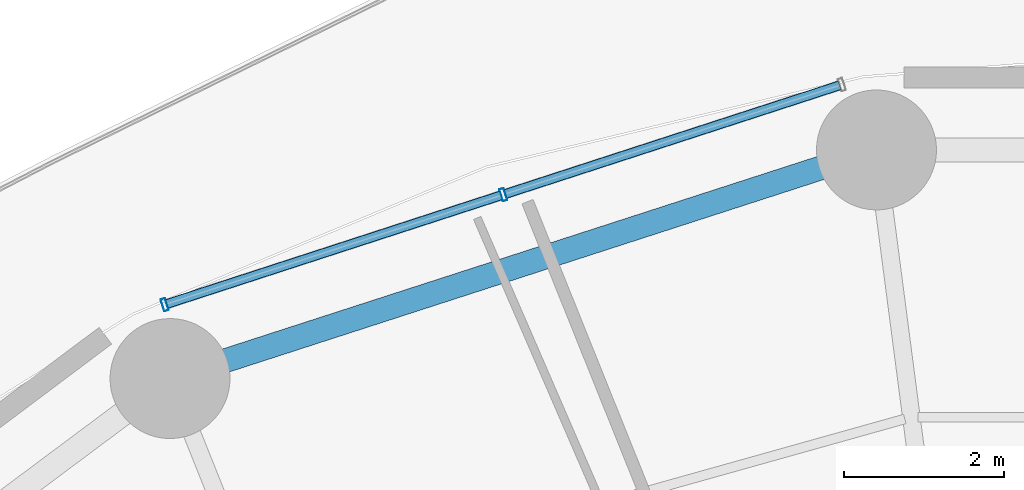
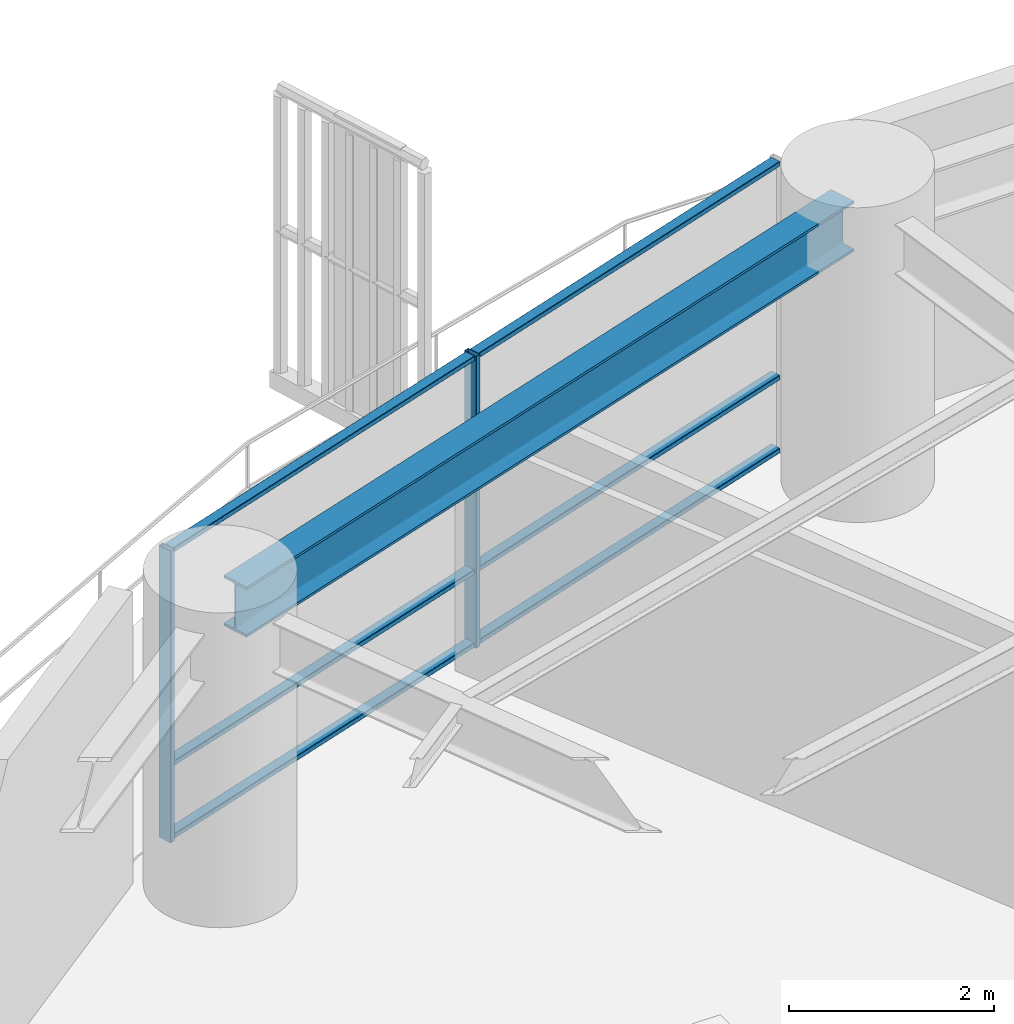
# One storey, part 17 of 34: 8 members, 1 beam, 1 element without a shape of its own.
"""IFC4 building model written with IfcOpenShell, lengths in metres."""

import ifcopenshell
import ifcopenshell.guid

model = None  # the IFC model being written
_history = None  # IfcOwnerHistory: only IFC2X3 demands one
_inside = {}  # id of a spatial element -> (the spatial element, [elements in it])
_under = {}  # id of a project, library or spatial element -> (it, [spatial elements below it])
_declared = {}  # id of a project -> (the project, [libraries it declares])
_typed = {}  # id of a type object -> (the type object, [elements of that type])
_made_of = {}  # id of a material, layer set ... -> (it, [elements and type objects made of it])


def new_model(schema):
    """Start an empty IFC model of exactly this schema.

    Asked for "IFC4X3", IfcOpenShell would pick the latest addendum, in which some entities
    have other attributes; the version numbers below select the first issue.
    IFC2X3 requires an IfcOwnerHistory on every rooted entity: one is made here for all.
    """
    global model, _history
    if schema == "IFC4X3":
        model = ifcopenshell.file(schema_version=(4, 3, 0, 0))
    else:
        model = ifcopenshell.file(schema=schema)
    _inside.clear()
    _under.clear()
    _declared.clear()
    _typed.clear()
    _made_of.clear()
    _history = None
    if model.schema == "IFC2X3":
        org = make("IfcOrganization", Name="unknown")
        user = make(
            "IfcPersonAndOrganization",
            ThePerson=make("IfcPerson", FamilyName="unknown"),
            TheOrganization=org,
        )
        app = make(
            "IfcApplication",
            ApplicationDeveloper=org,
            Version="unknown",
            ApplicationFullName="unknown",
            ApplicationIdentifier="unknown",
        )
        _history = make(
            "IfcOwnerHistory",
            OwningUser=user,
            OwningApplication=app,
            ChangeAction="ADDED",
            CreationDate=0,
        )
    return model


def make(cls, **values):
    """One entity of the class cls with the attributes given. An attribute that is None is left unset."""
    return model.create_entity(
        cls, **{name: value for name, value in values.items() if value is not None}
    )


def rooted(cls, **values):
    """An entity with a GlobalId (a new one), such as an element, a storey or a relation."""
    return make(cls, GlobalId=ifcopenshell.guid.new(), OwnerHistory=_history, **values)


def si_unit(unit_type, name, prefix=None):
    """IfcSIUnit, for example si_unit("LENGTHUNIT", "METRE", prefix="MILLI")."""
    return make("IfcSIUnit", UnitType=unit_type, Prefix=prefix, Name=name)


def assignment(units):
    """IfcUnitAssignment: the units of a project."""
    return None if units is None else make("IfcUnitAssignment", Units=units)


def point(xyz):
    """IfcCartesianPoint."""
    return None if xyz is None else make("IfcCartesianPoint", Coordinates=xyz)


def direction(xyz):
    """IfcDirection."""
    return None if xyz is None else make("IfcDirection", DirectionRatios=xyz)


def frame(location, z_axis=None, x_axis=None):
    """IfcAxis2Placement3D, a coordinate frame: its origin and axes. An axis left out is left unset."""
    return make(
        "IfcAxis2Placement3D",
        Location=point(location),
        Axis=direction(z_axis),
        RefDirection=direction(x_axis),
    )


def frame_2d(location, x_axis=None):
    """IfcAxis2Placement2D, a coordinate frame in the plane: its origin and x axis."""
    return make(
        "IfcAxis2Placement2D", Location=point(location), RefDirection=direction(x_axis)
    )


def origin():
    """The frame at (0, 0, 0) with its axes left unset."""
    return frame((0.0, 0.0, 0.0))


def origin_2d():
    """The frame at (0, 0) in the plane with its x axis left unset."""
    return frame_2d((0.0, 0.0))


def place(relative_to, where):
    """IfcLocalPlacement: puts the frame where relative to a parent placement (None: the world)."""
    return make(
        "IfcLocalPlacement", PlacementRelTo=relative_to, RelativePlacement=where
    )


def context(
    kind, dimensions, precision=None, world=None, true_north=None, identifier=None
):
    """IfcGeometricRepresentationContext, for example the 3D "Model" context."""
    return make(
        "IfcGeometricRepresentationContext",
        ContextIdentifier=identifier,
        ContextType=kind,
        CoordinateSpaceDimension=dimensions,
        Precision=precision,
        WorldCoordinateSystem=world,
        TrueNorth=true_north,
    )


def subcontext(parent, identifier, kind, view, scale=None):
    """IfcGeometricRepresentationSubContext, for example "Body" below "Model"."""
    return make(
        "IfcGeometricRepresentationSubContext",
        ContextIdentifier=identifier,
        ContextType=kind,
        ParentContext=parent,
        TargetScale=scale,
        TargetView=view,
    )


def project(units=None, contexts=None):
    """IfcProject with its units and contexts."""
    return rooted(
        "IfcProject",
        Name="project",
        RepresentationContexts=contexts,
        UnitsInContext=assignment(units),
    )


def spatial(cls, under=None, at=None, **own):
    """A site, building, storey or space (cls), placed at a placement, below another one or the project."""
    s = rooted(cls, ObjectPlacement=at, **own)
    if under is not None:
        _under.setdefault(under.id(), (under, []))[1].append(s)
    return s


def profile(cls, at=None, kind="AREA", **sizes):
    """A parametric profile (cls). Its sizes go by their IFC names, for example OverallWidth=200.0."""
    return make(cls, ProfileType=kind, Position=at, **sizes)


def hollow_rectangle(**sizes):
    """IfcRectangleHollowProfileDef."""
    return profile("IfcRectangleHollowProfileDef", **sizes)


def i_section(**sizes):
    """IfcIShapeProfileDef."""
    return profile("IfcIShapeProfileDef", **sizes)


def extrude(swept, where, along, depth):
    """IfcExtrudedAreaSolid: the profile swept, set in the frame where, extruded along a direction by depth."""
    return make(
        "IfcExtrudedAreaSolid",
        SweptArea=swept,
        Position=where,
        ExtrudedDirection=direction(along),
        Depth=depth,
    )


def shape(context_of_items, identifier, shape_type, items):
    """IfcShapeRepresentation: the items that make up one representation, for example the "Body"."""
    return make(
        "IfcShapeRepresentation",
        ContextOfItems=context_of_items,
        RepresentationIdentifier=identifier,
        RepresentationType=shape_type,
        Items=items,
    )


def material(Name=None, Category=None):
    """IfcMaterial."""
    return make("IfcMaterial", Name=Name, Category=Category)


def layer(
    of_material, thickness, ventilated=None, Name=None, Category=None, Priority=None
):
    """IfcMaterialLayer: one layer of a wall or slab, of a material (None: an air gap)."""
    return make(
        "IfcMaterialLayer",
        Material=of_material,
        LayerThickness=thickness,
        IsVentilated=ventilated,
        Name=Name,
        Category=Category,
        Priority=Priority,
    )


def layer_set(layers, Name=None):
    """IfcMaterialLayerSet."""
    return make("IfcMaterialLayerSet", MaterialLayers=layers, LayerSetName=Name)


def material_profile(
    of_material, cross_section, Name=None, Category=None, Priority=None
):
    """IfcMaterialProfile: a cross section and its material."""
    return make(
        "IfcMaterialProfile",
        Name=Name,
        Material=of_material,
        Profile=cross_section,
        Priority=Priority,
        Category=Category,
    )


def profile_set(profiles, Name=None, composite=None):
    """IfcMaterialProfileSet."""
    return make(
        "IfcMaterialProfileSet",
        Name=Name,
        MaterialProfiles=profiles,
        CompositeProfile=composite,
    )


def made_of(thing, what):
    """Note that an element or type object is made of a material, layer set ...; save() writes the relation."""
    if what is not None:
        _made_of.setdefault(what.id(), (what, []))[1].append(thing)
    return thing


def type_object(cls, material=None, **own):
    """A type object (cls), such as IfcWallType, which elements share."""
    return made_of(rooted(cls, **own), material)


def element(
    cls,
    number,
    at=None,
    inside=None,
    cuts=None,
    type_object=None,
    material=None,
    context=None,
    identifier="Body",
    shape_type=None,
    held_by="IfcProductDefinitionShape",
    body=None,
    shapes=None,
    **own,
):
    """One element of the class cls, such as IfcWall. Its Tag is "e" and its number.

    at: its placement. inside: the storey or other place that contains it. cuts: it is an
    opening in that element (IfcRelVoidsElement). A single representation is given by context,
    identifier, shape_type and body (its items); several are given by shapes. held_by: the class
    of the entity that holds the representations. save() writes the other relations.
    """
    e = rooted(cls, Tag="e%d" % number, ObjectPlacement=at, **own)
    if body is not None:
        shapes = [shape(context, identifier, shape_type, body)]
    if shapes is not None:
        e.Representation = make(held_by, Representations=shapes)
    if inside is not None:
        _inside.setdefault(inside.id(), (inside, []))[1].append(e)
    if cuts is not None:
        rooted(
            "IfcRelVoidsElement", RelatingBuildingElement=cuts, RelatedOpeningElement=e
        )
    if type_object is not None:
        _typed.setdefault(type_object.id(), (type_object, []))[1].append(e)
    return made_of(e, material)


def aggregate(whole, parts):
    """IfcRelAggregates: a whole, such as a stair, and the parts it consists of."""
    return rooted("IfcRelAggregates", RelatingObject=whole, RelatedObjects=parts)


def save(model, path):
    """Write the relations noted so far, then the file.

    IfcRelAggregates (storeys below a building ...), IfcRelContainedInSpatialStructure (elements
    in a storey), IfcRelDefinesByType, IfcRelAssociatesMaterial and IfcRelDeclares: one each for
    every whole, place, type object, material and project.
    """
    for whole, parts in _under.values():
        aggregate(whole, parts)
    for where, things in _inside.values():
        rooted(
            "IfcRelContainedInSpatialStructure",
            RelatedElements=things,
            RelatingStructure=where,
        )
    for kind, things in _typed.values():
        rooted("IfcRelDefinesByType", RelatedObjects=things, RelatingType=kind)
    for what, things in _made_of.values():
        rooted("IfcRelAssociatesMaterial", RelatedObjects=things, RelatingMaterial=what)
    for by, libraries in _declared.values():
        rooted("IfcRelDeclares", RelatingContext=by, RelatedDefinitions=libraries)
    model.write(path)


model = new_model("IFC4")

# Units and contexts
model_context = context("Model", 3, precision=1e-05, world=origin(), true_north=direction((0.0, 1.0)))
body_context = subcontext(model_context, "Body", "Model", "MODEL_VIEW")
ifc_project = project(units=[si_unit("LENGTHUNIT", "METRE"), si_unit("AREAUNIT", "SQUARE_METRE"), si_unit("VOLUMEUNIT", "CUBIC_METRE"), si_unit("PLANEANGLEUNIT", "RADIAN"), si_unit("MASSUNIT", "GRAM", prefix="KILO")], contexts=[model_context])

# Site, building, storey
site_placement = place(None, origin())
site = spatial("IfcSite", under=ifc_project, at=site_placement, CompositionType="ELEMENT")
building_placement = place(site_placement, origin())
building = spatial("IfcBuilding", under=site, at=building_placement, Name="Kelanora Arch Commons", CompositionType="ELEMENT")
storey_placement = place(building_placement, frame((0.0, 0.0, 33.75)))
storey = spatial("IfcBuildingStorey", under=building, at=storey_placement, Name="L08", CompositionType="ELEMENT", Elevation=33.75)

# Beam
ifc_material_1 = material(Name="Steel S355", Category="steel")
ifc_material_profile_1 = material_profile(ifc_material_1, i_section(OverallWidth=0.300048828125, OverallDepth=0.60009765625, WebThickness=0.015380859375, FlangeThickness=0.030029296875, FilletRadius=0.027099609375, at=origin_2d()), Name="HEB600")
ifc_profile_set_1 = profile_set([ifc_material_profile_1], Name="Steel S355")
beam_type = type_object("IfcBeamType", Name="BM-SPN-Z1", PredefinedType="SPANDREL", material=ifc_profile_set_1)
beam_placement = place(storey_placement, frame((69.08837890625, 81.646484375, 3.18994140625), z_axis=(-0.951411479564, -0.307922387224, 0.0), x_axis=(0.307922387224, -0.951411479564, 0.0)))
element("IfcBeam", 1, at=beam_placement, inside=storey, type_object=beam_type, Name="Perimeter Spandrel Beam BS-10 L08", PredefinedType="SPANDREL", context=body_context, shape_type="SweptSolid", body=[
    extrude(i_section(OverallWidth=0.300048828125, OverallDepth=0.60009765625, WebThickness=0.015380859375, FlangeThickness=0.030029296875, FilletRadius=0.027099609375, at=origin_2d()), origin(), (0.0, 0.0, 1.0), 8.84912109375),
])

# Curtain wall, members
ifc_material_2 = material(Name="Terracotta ceramic-fritted low-E glass and aluminium", Category="masonry")
ifc_layer = layer(ifc_material_2, 0.159912109375)
ifc_layer_set = layer_set([ifc_layer], Name="Terracotta ceramic-fritted low-E glass and aluminium")
curtain_wall_type = type_object("IfcCurtainWallType", Name="CW-SYS-01", PredefinedType="NOTDEFINED", material=ifc_layer_set)
curtain_wall_placement = place(storey_placement, origin())
curtain_wall = element("IfcCurtainWall", 2, at=curtain_wall_placement, inside=storey, type_object=curtain_wall_type, Name="Unitised Curtain Wall L08-B05", PredefinedType="NOTDEFINED")
ifc_material_3 = material(Name="Powder-coated aluminium terracotta", Category="masonry")
ifc_material_profile_2 = material_profile(ifc_material_3, hollow_rectangle(XDim=0.159912109375, YDim=0.06005859375, WallThickness=0.0048828125, InnerFilletRadius=0.0048828125, OuterFilletRadius=0.010009765625, at=origin_2d()), Name="CWM160x60")
ifc_profile_set_2 = profile_set([ifc_material_profile_2], Name="Powder-coated aluminium terracotta")
member_type_1 = type_object("IfcMemberType", Name="CWM-STD", PredefinedType="MULLION", material=ifc_profile_set_2)
member_1_placement = place(storey_placement, frame((64.62890625, 81.15478515625, 0.0), z_axis=(0.0, 0.0, 1.0), x_axis=(0.30905758454, -0.951043326793, 0.0)))
member_1 = element("IfcMember", 3, at=member_1_placement, type_object=member_type_1, Name="CW-01 mullion 2", PredefinedType="MULLION", context=body_context, shape_type="SweptSolid", body=[
    extrude(hollow_rectangle(XDim=0.159912109375, YDim=0.06005859375, WallThickness=0.0048828125, InnerFilletRadius=0.0048828125, OuterFilletRadius=0.010009765625, at=origin_2d()), origin(), (0.0, 0.0, 1.0), 3.47509765625),
])
member_2_placement = place(storey_placement, frame((60.392333984375, 79.778076171875, 0.0), z_axis=(0.0, 0.0, 1.0), x_axis=(0.30905758454, -0.951043326793, 0.0)))
member_2 = element("IfcMember", 4, at=member_2_placement, type_object=member_type_1, Name="CW-01 mullion 3", PredefinedType="MULLION", context=body_context, shape_type="SweptSolid", body=[
    extrude(hollow_rectangle(XDim=0.159912109375, YDim=0.06005859375, WallThickness=0.0048828125, InnerFilletRadius=0.0048828125, OuterFilletRadius=0.010009765625, at=origin_2d()), origin(), (0.0, 0.0, 1.0), 3.47509765625),
])
ifc_material_profile_3 = material_profile(ifc_material_3, hollow_rectangle(XDim=0.1201171875, YDim=0.06005859375, WallThickness=0.0048828125, InnerFilletRadius=0.0048828125, OuterFilletRadius=0.010009765625, at=origin_2d()), Name="CWT120x60")
ifc_profile_set_3 = profile_set([ifc_material_profile_3], Name="Powder-coated aluminium terracotta")
member_type_2 = type_object("IfcMemberType", Name="CWT-STD", PredefinedType="USERDEFINED", material=ifc_profile_set_3)
member_3_placement = place(storey_placement, frame((68.8369140625, 82.5224609375, 0.030029296875), z_axis=(-0.951028761285, -0.309102402464, 0.0), x_axis=(0.309102402464, -0.951028761285, 0.0)))
member_3 = element("IfcMember", 5, at=member_3_placement, type_object=member_type_2, Name="CW-01 transom 1.1", ObjectType="TRANSOM", PredefinedType="USERDEFINED", context=body_context, shape_type="SweptSolid", body=[
    extrude(hollow_rectangle(XDim=0.1201171875, YDim=0.06005859375, WallThickness=0.0048828125, InnerFilletRadius=0.0048828125, OuterFilletRadius=0.010009765625, at=origin_2d()), origin(), (0.0, 0.0, 1.0), 4.394775390625),
])
member_4_placement = place(storey_placement, frame((68.8369140625, 82.5224609375, 0.89990234375), z_axis=(-0.951028761285, -0.309102402464, 0.0), x_axis=(0.309102402464, -0.951028761285, 0.0)))
member_4 = element("IfcMember", 6, at=member_4_placement, type_object=member_type_2, Name="CW-01 transom 1.2", ObjectType="TRANSOM", PredefinedType="USERDEFINED", context=body_context, shape_type="SweptSolid", body=[
    extrude(hollow_rectangle(XDim=0.1201171875, YDim=0.06005859375, WallThickness=0.0048828125, InnerFilletRadius=0.0048828125, OuterFilletRadius=0.010009765625, at=origin_2d()), origin(), (0.0, 0.0, 1.0), 4.394775390625),
])
member_5_placement = place(storey_placement, frame((68.8369140625, 82.5224609375, 3.445068359375), z_axis=(-0.951028761285, -0.309102402464, 0.0), x_axis=(0.309102402464, -0.951028761285, 0.0)))
member_5 = element("IfcMember", 7, at=member_5_placement, type_object=member_type_2, Name="CW-01 transom 1.3", ObjectType="TRANSOM", PredefinedType="USERDEFINED", context=body_context, shape_type="SweptSolid", body=[
    extrude(hollow_rectangle(XDim=0.1201171875, YDim=0.06005859375, WallThickness=0.0048828125, InnerFilletRadius=0.0048828125, OuterFilletRadius=0.010009765625, at=origin_2d()), origin(), (0.0, 0.0, 1.0), 4.394775390625),
])
member_6_placement = place(storey_placement, frame((64.600341796875, 81.1455078125, 0.030029296875), z_axis=(-0.951045091182, -0.309052155047, 0.0), x_axis=(0.309052155047, -0.951045091182, 0.0)))
member_6 = element("IfcMember", 8, at=member_6_placement, type_object=member_type_2, Name="CW-01 transom 2.1", ObjectType="TRANSOM", PredefinedType="USERDEFINED", context=body_context, shape_type="SweptSolid", body=[
    extrude(hollow_rectangle(XDim=0.1201171875, YDim=0.06005859375, WallThickness=0.0048828125, InnerFilletRadius=0.0048828125, OuterFilletRadius=0.010009765625, at=origin_2d()), origin(), (0.0, 0.0, 1.0), 4.39453125),
])
member_7_placement = place(storey_placement, frame((64.600341796875, 81.1455078125, 0.89990234375), z_axis=(-0.951045091182, -0.309052155047, 0.0), x_axis=(0.309052155047, -0.951045091182, 0.0)))
member_7 = element("IfcMember", 9, at=member_7_placement, type_object=member_type_2, Name="CW-01 transom 2.2", ObjectType="TRANSOM", PredefinedType="USERDEFINED", context=body_context, shape_type="SweptSolid", body=[
    extrude(hollow_rectangle(XDim=0.1201171875, YDim=0.06005859375, WallThickness=0.0048828125, InnerFilletRadius=0.0048828125, OuterFilletRadius=0.010009765625, at=origin_2d()), origin(), (0.0, 0.0, 1.0), 4.39453125),
])
member_8_placement = place(storey_placement, frame((64.600341796875, 81.1455078125, 3.445068359375), z_axis=(-0.951045091182, -0.309052155047, 0.0), x_axis=(0.309052155047, -0.951045091182, 0.0)))
member_8 = element("IfcMember", 10, at=member_8_placement, type_object=member_type_2, Name="CW-01 transom 2.3", ObjectType="TRANSOM", PredefinedType="USERDEFINED", context=body_context, shape_type="SweptSolid", body=[
    extrude(hollow_rectangle(XDim=0.1201171875, YDim=0.06005859375, WallThickness=0.0048828125, InnerFilletRadius=0.0048828125, OuterFilletRadius=0.010009765625, at=origin_2d()), origin(), (0.0, 0.0, 1.0), 4.39453125),
])
aggregate(curtain_wall, [member_1, member_2, member_3, member_4, member_5, member_6, member_7, member_8])

save(model, "model.ifc")
